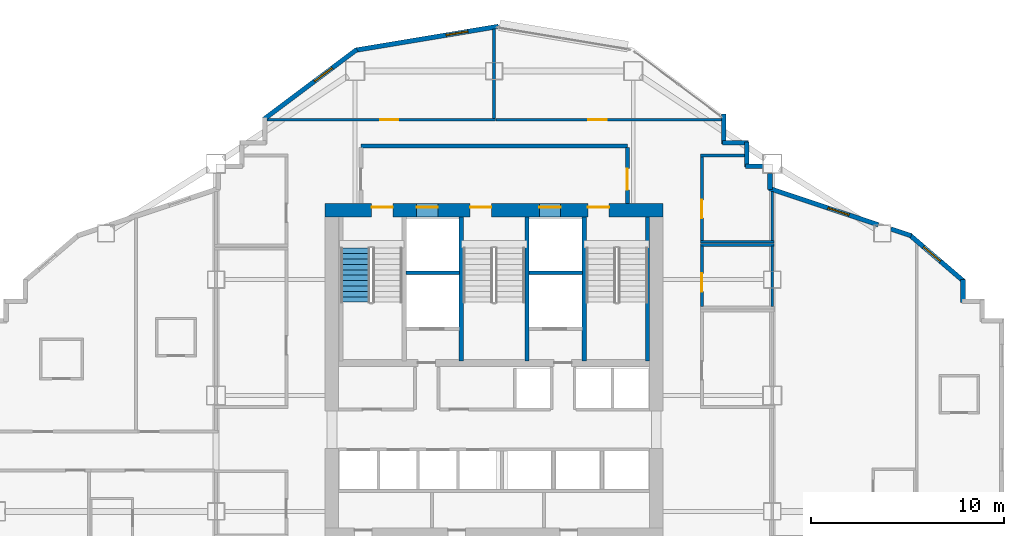
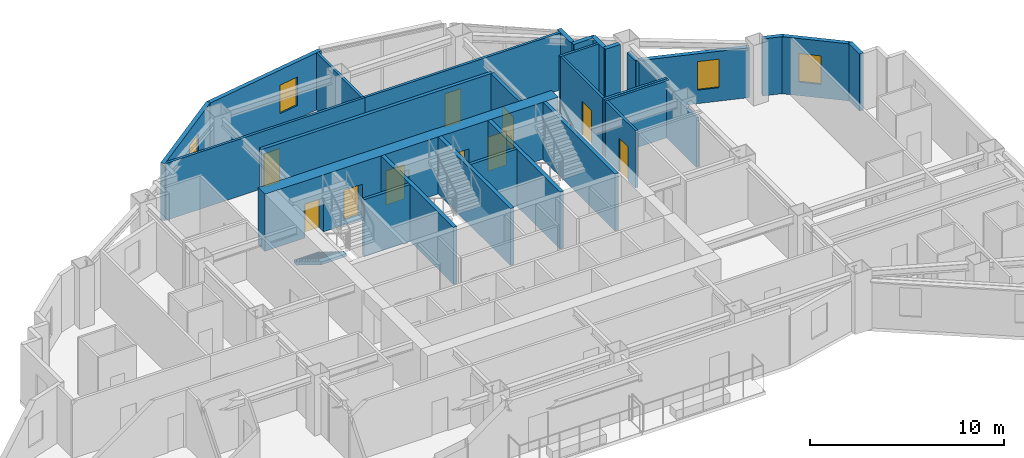
# One storey, part 9 of 14: 30 walls, 10 doors, 4 windows, 1 stair flight, 14 openings, 1 element without a shape of its own.
"""IFC4 building model written with IfcOpenShell, lengths in metres."""

import ifcopenshell
import ifcopenshell.guid

model = None  # the IFC model being written
_history = None  # IfcOwnerHistory: only IFC2X3 demands one
_inside = {}  # id of a spatial element -> (the spatial element, [elements in it])
_under = {}  # id of a project, library or spatial element -> (it, [spatial elements below it])
_declared = {}  # id of a project -> (the project, [libraries it declares])
_typed = {}  # id of a type object -> (the type object, [elements of that type])
_made_of = {}  # id of a material, layer set ... -> (it, [elements and type objects made of it])


def new_model(schema):
    """Start an empty IFC model of exactly this schema.

    Asked for "IFC4X3", IfcOpenShell would pick the latest addendum, in which some entities
    have other attributes; the version numbers below select the first issue.
    IFC2X3 requires an IfcOwnerHistory on every rooted entity: one is made here for all.
    """
    global model, _history
    if schema == "IFC4X3":
        model = ifcopenshell.file(schema_version=(4, 3, 0, 0))
    else:
        model = ifcopenshell.file(schema=schema)
    _inside.clear()
    _under.clear()
    _declared.clear()
    _typed.clear()
    _made_of.clear()
    _history = None
    if model.schema == "IFC2X3":
        org = make("IfcOrganization", Name="unknown")
        user = make(
            "IfcPersonAndOrganization",
            ThePerson=make("IfcPerson", FamilyName="unknown"),
            TheOrganization=org,
        )
        app = make(
            "IfcApplication",
            ApplicationDeveloper=org,
            Version="unknown",
            ApplicationFullName="unknown",
            ApplicationIdentifier="unknown",
        )
        _history = make(
            "IfcOwnerHistory",
            OwningUser=user,
            OwningApplication=app,
            ChangeAction="ADDED",
            CreationDate=0,
        )
    return model


def make(cls, **values):
    """One entity of the class cls with the attributes given. An attribute that is None is left unset."""
    return model.create_entity(
        cls, **{name: value for name, value in values.items() if value is not None}
    )


def rooted(cls, **values):
    """An entity with a GlobalId (a new one), such as an element, a storey or a relation."""
    return make(cls, GlobalId=ifcopenshell.guid.new(), OwnerHistory=_history, **values)


def si_unit(unit_type, name, prefix=None):
    """IfcSIUnit, for example si_unit("LENGTHUNIT", "METRE", prefix="MILLI")."""
    return make("IfcSIUnit", UnitType=unit_type, Prefix=prefix, Name=name)


def assignment(units):
    """IfcUnitAssignment: the units of a project."""
    return None if units is None else make("IfcUnitAssignment", Units=units)


def point(xyz):
    """IfcCartesianPoint."""
    return None if xyz is None else make("IfcCartesianPoint", Coordinates=xyz)


def direction(xyz):
    """IfcDirection."""
    return None if xyz is None else make("IfcDirection", DirectionRatios=xyz)


def frame(location, z_axis=None, x_axis=None):
    """IfcAxis2Placement3D, a coordinate frame: its origin and axes. An axis left out is left unset."""
    return make(
        "IfcAxis2Placement3D",
        Location=point(location),
        Axis=direction(z_axis),
        RefDirection=direction(x_axis),
    )


def frame_2d(location, x_axis=None):
    """IfcAxis2Placement2D, a coordinate frame in the plane: its origin and x axis."""
    return make(
        "IfcAxis2Placement2D", Location=point(location), RefDirection=direction(x_axis)
    )


def origin():
    """The frame at (0, 0, 0) with its axes left unset."""
    return frame((0.0, 0.0, 0.0))


def place(relative_to, where):
    """IfcLocalPlacement: puts the frame where relative to a parent placement (None: the world)."""
    return make(
        "IfcLocalPlacement", PlacementRelTo=relative_to, RelativePlacement=where
    )


def context(
    kind, dimensions, precision=None, world=None, true_north=None, identifier=None
):
    """IfcGeometricRepresentationContext, for example the 3D "Model" context."""
    return make(
        "IfcGeometricRepresentationContext",
        ContextIdentifier=identifier,
        ContextType=kind,
        CoordinateSpaceDimension=dimensions,
        Precision=precision,
        WorldCoordinateSystem=world,
        TrueNorth=true_north,
    )


def subcontext(parent, identifier, kind, view, scale=None):
    """IfcGeometricRepresentationSubContext, for example "Body" below "Model"."""
    return make(
        "IfcGeometricRepresentationSubContext",
        ContextIdentifier=identifier,
        ContextType=kind,
        ParentContext=parent,
        TargetScale=scale,
        TargetView=view,
    )


def project(units=None, contexts=None):
    """IfcProject with its units and contexts."""
    return rooted(
        "IfcProject",
        Name="project",
        RepresentationContexts=contexts,
        UnitsInContext=assignment(units),
    )


def spatial(cls, under=None, at=None, **own):
    """A site, building, storey or space (cls), placed at a placement, below another one or the project."""
    s = rooted(cls, ObjectPlacement=at, **own)
    if under is not None:
        _under.setdefault(under.id(), (under, []))[1].append(s)
    return s


def polyline(points):
    """IfcPolyline through the points."""
    return make("IfcPolyline", Points=[point(p) for p in points])


def profile(cls, at=None, kind="AREA", **sizes):
    """A parametric profile (cls). Its sizes go by their IFC names, for example OverallWidth=200.0."""
    return make(cls, ProfileType=kind, Position=at, **sizes)


def rectangle(**sizes):
    """IfcRectangleProfileDef."""
    return profile("IfcRectangleProfileDef", **sizes)


def outline(outer, holes=None, kind="AREA"):
    """IfcArbitraryClosedProfileDef: a profile drawn as a closed curve; with holes, ...WithVoids."""
    if holes is None:
        return make("IfcArbitraryClosedProfileDef", ProfileType=kind, OuterCurve=outer)
    return make(
        "IfcArbitraryProfileDefWithVoids",
        ProfileType=kind,
        OuterCurve=outer,
        InnerCurves=holes,
    )


def extrude(swept, where, along, depth):
    """IfcExtrudedAreaSolid: the profile swept, set in the frame where, extruded along a direction by depth."""
    return make(
        "IfcExtrudedAreaSolid",
        SweptArea=swept,
        Position=where,
        ExtrudedDirection=direction(along),
        Depth=depth,
    )


def shape(context_of_items, identifier, shape_type, items):
    """IfcShapeRepresentation: the items that make up one representation, for example the "Body"."""
    return make(
        "IfcShapeRepresentation",
        ContextOfItems=context_of_items,
        RepresentationIdentifier=identifier,
        RepresentationType=shape_type,
        Items=items,
    )


def material(Name=None, Category=None):
    """IfcMaterial."""
    return make("IfcMaterial", Name=Name, Category=Category)


def layer(
    of_material, thickness, ventilated=None, Name=None, Category=None, Priority=None
):
    """IfcMaterialLayer: one layer of a wall or slab, of a material (None: an air gap)."""
    return make(
        "IfcMaterialLayer",
        Material=of_material,
        LayerThickness=thickness,
        IsVentilated=ventilated,
        Name=Name,
        Category=Category,
        Priority=Priority,
    )


def layer_set(layers, Name=None):
    """IfcMaterialLayerSet."""
    return make("IfcMaterialLayerSet", MaterialLayers=layers, LayerSetName=Name)


def made_of(thing, what):
    """Note that an element or type object is made of a material, layer set ...; save() writes the relation."""
    if what is not None:
        _made_of.setdefault(what.id(), (what, []))[1].append(thing)
    return thing


def type_object(cls, material=None, **own):
    """A type object (cls), such as IfcWallType, which elements share."""
    return made_of(rooted(cls, **own), material)


def element(
    cls,
    number,
    at=None,
    inside=None,
    cuts=None,
    type_object=None,
    material=None,
    context=None,
    identifier="Body",
    shape_type=None,
    held_by="IfcProductDefinitionShape",
    body=None,
    shapes=None,
    **own,
):
    """One element of the class cls, such as IfcWall. Its Tag is "e" and its number.

    at: its placement. inside: the storey or other place that contains it. cuts: it is an
    opening in that element (IfcRelVoidsElement). A single representation is given by context,
    identifier, shape_type and body (its items); several are given by shapes. held_by: the class
    of the entity that holds the representations. save() writes the other relations.
    """
    e = rooted(cls, Tag="e%d" % number, ObjectPlacement=at, **own)
    if body is not None:
        shapes = [shape(context, identifier, shape_type, body)]
    if shapes is not None:
        e.Representation = make(held_by, Representations=shapes)
    if inside is not None:
        _inside.setdefault(inside.id(), (inside, []))[1].append(e)
    if cuts is not None:
        rooted(
            "IfcRelVoidsElement", RelatingBuildingElement=cuts, RelatedOpeningElement=e
        )
    if type_object is not None:
        _typed.setdefault(type_object.id(), (type_object, []))[1].append(e)
    return made_of(e, material)


def fill(opening, filler):
    """IfcRelFillsElement: the door or window that sits in an opening."""
    return rooted(
        "IfcRelFillsElement",
        RelatingOpeningElement=opening,
        RelatedBuildingElement=filler,
    )


def aggregate(whole, parts):
    """IfcRelAggregates: a whole, such as a stair, and the parts it consists of."""
    return rooted("IfcRelAggregates", RelatingObject=whole, RelatedObjects=parts)


def save(model, path):
    """Write the relations noted so far, then the file.

    IfcRelAggregates (storeys below a building ...), IfcRelContainedInSpatialStructure (elements
    in a storey), IfcRelDefinesByType, IfcRelAssociatesMaterial and IfcRelDeclares: one each for
    every whole, place, type object, material and project.
    """
    for whole, parts in _under.values():
        aggregate(whole, parts)
    for where, things in _inside.values():
        rooted(
            "IfcRelContainedInSpatialStructure",
            RelatedElements=things,
            RelatingStructure=where,
        )
    for kind, things in _typed.values():
        rooted("IfcRelDefinesByType", RelatedObjects=things, RelatingType=kind)
    for what, things in _made_of.values():
        rooted("IfcRelAssociatesMaterial", RelatedObjects=things, RelatingMaterial=what)
    for by, libraries in _declared.values():
        rooted("IfcRelDeclares", RelatingContext=by, RelatedDefinitions=libraries)
    model.write(path)


model = new_model("IFC4")

# Units and contexts
model_context = context("Model", 3, precision=1e-05, world=origin(), true_north=direction((0.0, 1.0)))
body_context = subcontext(model_context, "Body", "Model", "MODEL_VIEW")
ifc_project = project(units=[si_unit("LENGTHUNIT", "METRE"), si_unit("AREAUNIT", "SQUARE_METRE"), si_unit("VOLUMEUNIT", "CUBIC_METRE"), si_unit("PLANEANGLEUNIT", "RADIAN"), si_unit("MASSUNIT", "GRAM", prefix="KILO")], contexts=[model_context])

# Site, building, storey
site_placement = place(None, origin())
site = spatial("IfcSite", under=ifc_project, at=site_placement, CompositionType="ELEMENT")
building_placement = place(site_placement, origin())
building = spatial("IfcBuilding", under=site, at=building_placement, Name="Haolan Belvedere Tower", CompositionType="ELEMENT")
storey_placement = place(building_placement, frame((0.0, 0.0, 109.800048828125)))
storey = spatial("IfcBuildingStorey", under=building, at=storey_placement, Name="L27", CompositionType="ELEMENT", Elevation=109.800048828125)

# Wall, openings, doors
ifc_material_1 = material(Name="Concrete C60/75", Category="concrete")
ifc_layer_1 = layer(ifc_material_1, 0.699951171875, Name="Concrete C60/75")
ifc_layer_set_1 = layer_set([ifc_layer_1], Name="Concrete C60/75")
wall_type_1 = type_object("IfcWallType", Name="WL-CORE-700", PredefinedType="SHEAR", material=ifc_layer_set_1)
wall_1_placement = place(storey_placement, frame((29.64990234375, 43.199951171875, 0.0), z_axis=(0.0, 0.0, 1.0), x_axis=(1.0, 0.0, 0.0)))
wall_1 = element("IfcWall", 1, at=wall_1_placement, inside=storey, type_object=wall_type_1, Name="L27 central core north shear wall", PredefinedType="SHEAR", context=body_context, shape_type="SweptSolid", body=[
    extrude(rectangle(XDim=17.5, YDim=0.699951171875, at=frame_2d((8.75, 0.0))), origin(), (0.0, 0.0, 1.0), 3.599853515625),
])
opening_1_placement = place(wall_1_placement, frame((2.39990234375, 0.0, 0.0)))
opening_1 = element("IfcOpeningElement", 2, at=opening_1_placement, cuts=wall_1, Name="Opening FD-03", PredefinedType="OPENING", context=body_context, shape_type="SweptSolid", body=[
    extrude(rectangle(XDim=1.10009765625, YDim=2.14990234375, at=frame_2d((0.550048828125, 1.074951171875))), frame((0.0, 0.35986328125, 0.0), z_axis=(0.0, -1.0, 0.0), x_axis=(1.0, 0.0, 0.0)), (0.0, 0.0, 1.0), 0.719970703125),
])
opening_2_placement = place(wall_1_placement, frame((7.510009765625, 0.0, 0.0)))
opening_2 = element("IfcOpeningElement", 3, at=opening_2_placement, cuts=wall_1, Name="Opening FD-03", PredefinedType="OPENING", context=body_context, shape_type="SweptSolid", body=[
    extrude(rectangle(XDim=1.10009765625, YDim=2.14990234375, at=frame_2d((0.550048828125, 1.074951171875))), frame((0.0, 0.35986328125, 0.0), z_axis=(0.0, -1.0, 0.0), x_axis=(1.0, 0.0, 0.0)), (0.0, 0.0, 1.0), 0.719970703125),
])
opening_3_placement = place(wall_1_placement, frame((13.60009765625, 0.0, 0.0)))
opening_3 = element("IfcOpeningElement", 4, at=opening_3_placement, cuts=wall_1, Name="Opening FD-03", PredefinedType="OPENING", context=body_context, shape_type="SweptSolid", body=[
    extrude(rectangle(XDim=1.10009765625, YDim=2.14990234375, at=frame_2d((0.550048828125, 1.074951171875))), frame((0.0, 0.35986328125, 0.0), z_axis=(0.0, -1.0, 0.0), x_axis=(1.0, 0.0, 0.0)), (0.0, 0.0, 1.0), 0.719970703125),
])
opening_4_placement = place(wall_1_placement, frame((4.72998046875, 0.0, 0.0)))
opening_4 = element("IfcOpeningElement", 5, at=opening_4_placement, cuts=wall_1, Name="Opening LD-01", PredefinedType="OPENING", context=body_context, shape_type="SweptSolid", body=[
    extrude(rectangle(XDim=1.10009765625, YDim=2.199951171875, at=frame_2d((0.550048828125, 1.10009765625))), frame((0.0, 0.35986328125, 0.0), z_axis=(0.0, -1.0, 0.0), x_axis=(1.0, 0.0, 0.0)), (0.0, 0.0, 1.0), 0.719970703125),
])
opening_5_placement = place(wall_1_placement, frame((11.090087890625, 0.0, 0.0)))
opening_5 = element("IfcOpeningElement", 6, at=opening_5_placement, cuts=wall_1, Name="Opening LD-01", PredefinedType="OPENING", context=body_context, shape_type="SweptSolid", body=[
    extrude(rectangle(XDim=1.10009765625, YDim=2.199951171875, at=frame_2d((0.550048828125, 1.10009765625))), frame((0.0, 0.35986328125, 0.0), z_axis=(0.0, -1.0, 0.0), x_axis=(1.0, 0.0, 0.0)), (0.0, 0.0, 1.0), 0.719970703125),
])
ifc_material_2 = material(Name="Galvanised fire-rated steel", Category="steel")
door_type_1 = type_object("IfcDoorType", Name="DR-FD90-1100", OperationType="NOTDEFINED", PredefinedType="DOOR", material=ifc_material_2)
door_1_placement = place(opening_1_placement, origin())
door_1 = element("IfcDoor", 7, at=door_1_placement, inside=storey, type_object=door_type_1, Name="L27 door CD-L27-ST1", OperationType="SINGLE_SWING_LEFT", OverallHeight=2.14990234375, OverallWidth=1.10009765625, PredefinedType="DOOR", context=body_context, shape_type="SweptSolid", body=[
    extrude(rectangle(XDim=1.10009765625, YDim=2.14990234375, at=frame_2d((0.550048828125, 1.074951171875))), frame((0.0, 0.18505859375, 0.0), z_axis=(0.0, -1.0, 0.0), x_axis=(1.0, 0.0, 0.0)), (0.0, 0.0, 1.0), 0.050048828125),
])
fill(opening_1, door_1)
door_2_placement = place(opening_2_placement, origin())
door_2 = element("IfcDoor", 8, at=door_2_placement, inside=storey, type_object=door_type_1, Name="L27 door CD-L27-ST3", OperationType="SINGLE_SWING_LEFT", OverallHeight=2.14990234375, OverallWidth=1.10009765625, PredefinedType="DOOR", context=body_context, shape_type="SweptSolid", body=[
    extrude(rectangle(XDim=1.10009765625, YDim=2.14990234375, at=frame_2d((0.550048828125, 1.074951171875))), frame((0.0, 0.18505859375, 0.0), z_axis=(0.0, -1.0, 0.0), x_axis=(1.0, 0.0, 0.0)), (0.0, 0.0, 1.0), 0.050048828125),
])
fill(opening_2, door_2)
door_3_placement = place(opening_3_placement, origin())
door_3 = element("IfcDoor", 9, at=door_3_placement, inside=storey, type_object=door_type_1, Name="L27 door CD-L27-ST2", OperationType="SINGLE_SWING_RIGHT", OverallHeight=2.14990234375, OverallWidth=1.10009765625, PredefinedType="DOOR", context=body_context, shape_type="SweptSolid", body=[
    extrude(rectangle(XDim=1.10009765625, YDim=2.14990234375, at=frame_2d((0.550048828125, 1.074951171875))), frame((0.0, 0.18505859375, 0.0), z_axis=(0.0, -1.0, 0.0), x_axis=(1.0, 0.0, 0.0)), (0.0, 0.0, 1.0), 0.050048828125),
])
fill(opening_3, door_3)
ifc_material_3 = material(Name="Brushed champagne stainless steel 316L", Category="steel")
door_type_2 = type_object("IfcDoorType", Name="DR-LIFT-1100", OperationType="SLIDING_TO_LEFT", PredefinedType="DOOR", material=ifc_material_3)
door_4_placement = place(opening_4_placement, origin())
door_4 = element("IfcDoor", 10, at=door_4_placement, inside=storey, type_object=door_type_2, Name="L27 door LD-L27-FF1", OperationType="SLIDING_TO_LEFT", OverallHeight=2.199951171875, OverallWidth=1.10009765625, PredefinedType="DOOR", context=body_context, shape_type="SweptSolid", body=[
    extrude(rectangle(XDim=1.10009765625, YDim=2.199951171875, at=frame_2d((0.550048828125, 1.10009765625))), frame((0.0, 0.18505859375, 0.0), z_axis=(0.0, -1.0, 0.0), x_axis=(1.0, 0.0, 0.0)), (0.0, 0.0, 1.0), 0.050048828125),
])
fill(opening_4, door_4)
door_5_placement = place(opening_5_placement, origin())
door_5 = element("IfcDoor", 11, at=door_5_placement, inside=storey, type_object=door_type_2, Name="L27 door LD-L27-FF2", OperationType="SLIDING_TO_LEFT", OverallHeight=2.199951171875, OverallWidth=1.10009765625, PredefinedType="DOOR", context=body_context, shape_type="SweptSolid", body=[
    extrude(rectangle(XDim=1.10009765625, YDim=2.199951171875, at=frame_2d((0.550048828125, 1.10009765625))), frame((0.0, 0.18505859375, 0.0), z_axis=(0.0, -1.0, 0.0), x_axis=(1.0, 0.0, 0.0)), (0.0, 0.0, 1.0), 0.050048828125),
])
fill(opening_5, door_5)

# Wall
ifc_material_4 = material(Name="Precast concrete C40/50", Category="concrete")
ifc_layer_2 = layer(ifc_material_4, 0.239990234375, Name="Precast concrete C40/50")
ifc_layer_set_2 = layer_set([ifc_layer_2], Name="Precast concrete C40/50")
wall_type_2 = type_object("IfcWallType", Name="WL-EXT-240", PredefinedType="SOLIDWALL", material=ifc_layer_set_2)
wall_2_placement = place(storey_placement, frame((62.679931640625, 38.425048828125, 0.0), z_axis=(0.0, 0.0, 1.0), x_axis=(0.0, 1.0, 0.0)))
element("IfcWall", 12, at=wall_2_placement, inside=storey, type_object=wall_type_2, Name="L27 pale-metal exterior spandrel wall 18.1", PredefinedType="SOLIDWALL", context=body_context, shape_type="SweptSolid", body=[
    extrude(rectangle(XDim=1.1748046875, YDim=0.239990234375, at=frame_2d((0.58740234375, 0.0))), origin(), (0.0, 0.0, 1.0), 3.599853515625),
])

# Wall, opening, window
wall_3_placement = place(storey_placement, frame((62.7216796875, 39.509033203125, 0.0), z_axis=(0.0, 0.0, 1.0), x_axis=(-0.759247334792, 0.650802185469, 0.0)))
wall_3 = element("IfcWall", 13, at=wall_3_placement, inside=storey, type_object=wall_type_2, Name="L27 pale-metal exterior spandrel wall 19.1", PredefinedType="SOLIDWALL", context=body_context, shape_type="SweptSolid", body=[
    extrude(rectangle(XDim=3.71923828125, YDim=0.239990234375, at=frame_2d((1.859619140625, 0.0))), origin(), (0.0, 0.0, 1.0), 3.599853515625),
])
opening_6_placement = place(wall_3_placement, frame((1.60009765625, 0.0, 0.85009765625)))
opening_6 = element("IfcOpeningElement", 14, at=opening_6_placement, cuts=wall_3, Name="Opening W-02", PredefinedType="OPENING", context=body_context, shape_type="SweptSolid", body=[
    extrude(rectangle(XDim=1.14990234375, YDim=1.800048828125, at=frame_2d((0.574951171875, 0.89990234375))), frame((0.0, 0.1298828125, 0.0), z_axis=(0.0, -1.0, 0.0), x_axis=(1.0, 0.0, 0.0)), (0.0, 0.0, 1.0), 0.260009765625),
])
ifc_material_5 = material(Name="Anodised aluminium 6063-T6 and Low-E glass", Category="aluminium")
window_type = type_object("IfcWindowType", Name="WN-DECO-Z2", PartitioningType="SINGLE_PANEL", PredefinedType="WINDOW", material=ifc_material_5)
window_1_placement = place(opening_6_placement, origin())
window_1 = element("IfcWindow", 15, at=window_1_placement, inside=storey, type_object=window_type, Name="L27 Art Deco chevron window 1", OverallHeight=1.800048828125, OverallWidth=1.14990234375, PartitioningType="SINGLE_PANEL", PredefinedType="WINDOW", context=body_context, shape_type="SweptSolid", body=[
    extrude(rectangle(XDim=1.14990234375, YDim=1.800048828125, at=frame_2d((0.574951171875, 0.89990234375))), frame((0.0, 0.030029296875, 0.0), z_axis=(0.0, -1.0, 0.0), x_axis=(1.0, 0.0, 0.0)), (0.0, 0.0, 1.0), 0.06005859375),
])
fill(opening_6, window_1)

# Wall
wall_4_placement = place(storey_placement, frame((59.991943359375, 41.876220703125, 0.0), z_axis=(0.0, 0.0, 1.0), x_axis=(-0.948661238983, 0.316293935527, 0.0)))
element("IfcWall", 16, at=wall_4_placement, inside=storey, type_object=wall_type_2, Name="L27 pale-metal exterior spandrel wall 20.1", PredefinedType="SOLIDWALL", context=body_context, shape_type="SweptSolid", body=[
    extrude(rectangle(XDim=1.10693359375, YDim=0.239990234375, at=frame_2d((0.553466796875, 0.0))), origin(), (0.0, 0.0, 1.0), 3.599853515625),
])

# Wall, opening, window
wall_5_placement = place(storey_placement, frame((58.294677734375, 42.44189453125, 0.0), z_axis=(0.0, 0.0, 1.0), x_axis=(-0.948687385027, 0.316215504823, 0.0)))
wall_5 = element("IfcWall", 17, at=wall_5_placement, inside=storey, type_object=wall_type_2, Name="L27 pale-metal exterior spandrel wall 20.2", PredefinedType="SOLIDWALL", context=body_context, shape_type="SweptSolid", body=[
    extrude(rectangle(XDim=5.973388671875, YDim=0.239990234375, at=frame_2d((2.98681640625, 0.0))), origin(), (0.0, 0.0, 1.0), 3.14501953125),
])
opening_7_placement = place(wall_5_placement, frame((1.60009765625, 0.0, 0.85009765625)))
opening_7 = element("IfcOpeningElement", 18, at=opening_7_placement, cuts=wall_5, Name="Opening W-02", PredefinedType="OPENING", context=body_context, shape_type="SweptSolid", body=[
    extrude(rectangle(XDim=1.14990234375, YDim=1.800048828125, at=frame_2d((0.574951171875, 0.89990234375))), frame((0.0, 0.1298828125, 0.0), z_axis=(0.0, -1.0, 0.0), x_axis=(1.0, 0.0, 0.0)), (0.0, 0.0, 1.0), 0.260009765625),
])
window_2_placement = place(opening_7_placement, origin())
window_2 = element("IfcWindow", 19, at=window_2_placement, inside=storey, type_object=window_type, Name="L27 Art Deco chevron window 1", OverallHeight=1.800048828125, OverallWidth=1.14990234375, PartitioningType="SINGLE_PANEL", PredefinedType="WINDOW", context=body_context, shape_type="SweptSolid", body=[
    extrude(rectangle(XDim=1.14990234375, YDim=1.800048828125, at=frame_2d((0.574951171875, 0.89990234375))), frame((0.0, 0.030029296875, 0.0), z_axis=(0.0, -1.0, 0.0), x_axis=(1.0, 0.0, 0.0)), (0.0, 0.0, 1.0), 0.06005859375),
])
fill(opening_7, window_2)

# Walls
wall_6_placement = place(storey_placement, frame((52.679931640625, 44.258544921875, 0.0), z_axis=(0.0, 0.0, 1.0), x_axis=(0.0, 1.0, 0.0)))
element("IfcWall", 20, at=wall_6_placement, inside=storey, type_object=wall_type_2, Name="L27 pale-metal exterior spandrel wall 21.1", PredefinedType="SOLIDWALL", context=body_context, shape_type="SweptSolid", body=[
    extrude(rectangle(XDim=0.849365234375, YDim=0.239990234375, at=frame_2d((0.4248046875, 0.0))), origin(), (0.0, 0.0, 1.0), 3.14501953125),
])
wall_7_placement = place(storey_placement, frame((52.30810546875, 45.47998046875, 0.0), z_axis=(0.0, 0.0, 1.0), x_axis=(-1.0, 0.0, 0.0)))
element("IfcWall", 21, at=wall_7_placement, inside=storey, type_object=wall_type_2, Name="L27 pale-metal exterior spandrel wall 22.1", PredefinedType="SOLIDWALL", context=body_context, shape_type="SweptSolid", body=[
    extrude(rectangle(XDim=0.883056640625, YDim=0.239990234375, at=frame_2d((0.44140625, 0.0))), origin(), (0.0, 0.0, 1.0), 3.599853515625),
])
wall_8_placement = place(storey_placement, frame((51.47998046875, 45.425048828125, 0.0), z_axis=(0.0, 0.0, 1.0), x_axis=(0.0, 1.0, 0.0)))
element("IfcWall", 22, at=wall_8_placement, inside=storey, type_object=wall_type_2, Name="L27 pale-metal exterior spandrel wall 23.1", PredefinedType="SOLIDWALL", context=body_context, shape_type="SweptSolid", body=[
    extrude(rectangle(XDim=1.31005859375, YDim=0.239990234375, at=frame_2d((0.655029296875, 0.0))), origin(), (0.0, 0.0, 1.0), 3.599853515625),
])
wall_9_placement = place(storey_placement, frame((51.534912109375, 46.679931640625, 0.0), z_axis=(0.0, 0.0, 1.0), x_axis=(-1.0, 0.0, 0.0)))
element("IfcWall", 23, at=wall_9_placement, inside=storey, type_object=wall_type_2, Name="L27 pale-metal exterior spandrel wall 24.1", PredefinedType="SOLIDWALL", context=body_context, shape_type="SweptSolid", body=[
    extrude(rectangle(XDim=1.309814453125, YDim=0.239990234375, at=frame_2d((0.65478515625, 0.0))), origin(), (0.0, 0.0, 1.0), 3.599853515625),
])
wall_10_placement = place(storey_placement, frame((50.280029296875, 46.625, 0.0), z_axis=(0.0, 0.0, 1.0), x_axis=(0.0, 1.0, 0.0)))
element("IfcWall", 24, at=wall_10_placement, inside=storey, type_object=wall_type_2, Name="L27 pale-metal exterior spandrel wall 25.1", PredefinedType="SOLIDWALL", context=body_context, shape_type="SweptSolid", body=[
    extrude(rectangle(XDim=1.5400390625, YDim=0.239990234375, at=frame_2d((0.77001953125, 0.0))), origin(), (0.0, 0.0, 1.0), 3.599853515625),
])

# Wall, opening, window
wall_11_placement = place(storey_placement, frame((38.621826171875, 52.71533203125, 0.0), z_axis=(0.0, 0.0, 1.0), x_axis=(-0.98639129485, -0.164414760418, 0.0)))
wall_11 = element("IfcWall", 25, at=wall_11_placement, inside=storey, type_object=wall_type_2, Name="L27 pale-metal exterior spandrel wall 28.1", PredefinedType="SOLIDWALL", context=body_context, shape_type="SweptSolid", body=[
    extrude(rectangle(XDim=7.530029296875, YDim=0.239990234375, at=frame_2d((3.76513671875, 0.0))), origin(), (0.0, 0.0, 1.0), 3.599853515625),
])
opening_8_placement = place(wall_11_placement, frame((1.60009765625, 0.0, 0.85009765625)))
opening_8 = element("IfcOpeningElement", 26, at=opening_8_placement, cuts=wall_11, Name="Opening W-02", PredefinedType="OPENING", context=body_context, shape_type="SweptSolid", body=[
    extrude(rectangle(XDim=1.14990234375, YDim=1.800048828125, at=frame_2d((0.574951171875, 0.89990234375))), frame((0.0, 0.1298828125, 0.0), z_axis=(0.0, -1.0, 0.0), x_axis=(1.0, 0.0, 0.0)), (0.0, 0.0, 1.0), 0.260009765625),
])
window_3_placement = place(opening_8_placement, origin())
window_3 = element("IfcWindow", 27, at=window_3_placement, inside=storey, type_object=window_type, Name="L27 Art Deco chevron window 1", OverallHeight=1.800048828125, OverallWidth=1.14990234375, PartitioningType="SINGLE_PANEL", PredefinedType="WINDOW", context=body_context, shape_type="SweptSolid", body=[
    extrude(rectangle(XDim=1.14990234375, YDim=1.800048828125, at=frame_2d((0.574951171875, 0.89990234375))), frame((0.0, 0.030029296875, 0.0), z_axis=(0.0, -1.0, 0.0), x_axis=(1.0, 0.0, 0.0)), (0.0, 0.0, 1.0), 0.06005859375),
])
fill(opening_8, window_3)

wall_12_placement = place(storey_placement, frame((31.29248046875, 51.519287109375, 0.0), z_axis=(0.0, 0.0, 1.0), x_axis=(-0.8, -0.6, 0.0)))
wall_12 = element("IfcWall", 28, at=wall_12_placement, inside=storey, type_object=wall_type_2, Name="L27 pale-metal exterior spandrel wall 29.1", PredefinedType="SOLIDWALL", context=body_context, shape_type="SweptSolid", body=[
    extrude(rectangle(XDim=6.0205078125, YDim=0.239990234375, at=frame_2d((3.01025390625, 0.0))), origin(), (0.0, 0.0, 1.0), 3.599853515625),
])
opening_9_placement = place(wall_12_placement, frame((1.60009765625, 0.0, 0.85009765625)))
opening_9 = element("IfcOpeningElement", 29, at=opening_9_placement, cuts=wall_12, Name="Opening W-02", PredefinedType="OPENING", context=body_context, shape_type="SweptSolid", body=[
    extrude(rectangle(XDim=1.14990234375, YDim=1.800048828125, at=frame_2d((0.574951171875, 0.89990234375))), frame((0.0, 0.1298828125, 0.0), z_axis=(0.0, -1.0, 0.0), x_axis=(1.0, 0.0, 0.0)), (0.0, 0.0, 1.0), 0.260009765625),
])
window_4_placement = place(opening_9_placement, origin())
window_4 = element("IfcWindow", 30, at=window_4_placement, inside=storey, type_object=window_type, Name="L27 Art Deco chevron window 1", OverallHeight=1.800048828125, OverallWidth=1.14990234375, PartitioningType="SINGLE_PANEL", PredefinedType="WINDOW", context=body_context, shape_type="SweptSolid", body=[
    extrude(rectangle(XDim=1.14990234375, YDim=1.800048828125, at=frame_2d((0.574951171875, 0.89990234375))), frame((0.0, 0.030029296875, 0.0), z_axis=(0.0, -1.0, 0.0), x_axis=(1.0, 0.0, 0.0)), (0.0, 0.0, 1.0), 0.06005859375),
])
fill(opening_9, window_4)

# Wall
ifc_material_6 = material(Name="Concrete C40/50", Category="concrete")
ifc_layer_3 = layer(ifc_material_6, 0.199951171875, Name="Concrete C40/50")
ifc_layer_set_3 = layer_set([ifc_layer_3], Name="Concrete C40/50")
wall_type_3 = type_object("IfcWallType", Name="WL-FIRE-200", PredefinedType="SOLIDWALL", material=ifc_layer_set_3)
wall_13_placement = place(storey_placement, frame((31.5, 46.52001953125, 0.0), z_axis=(0.0, 0.0, 1.0), x_axis=(1.0, 0.0, 0.0)))
element("IfcWall", 31, at=wall_13_placement, inside=storey, type_object=wall_type_3, Name="L27 interior partition IW-L27-FFL-N", PredefinedType="SOLIDWALL", context=body_context, shape_type="SweptSolid", body=[
    extrude(rectangle(XDim=13.800048828125, YDim=0.199951171875, at=frame_2d((6.89990234375, 0.0))), origin(), (0.0, 0.0, 1.0), 3.599853515625),
])

# Wall, opening, door
wall_14_placement = place(storey_placement, frame((45.300048828125, 43.550048828125, 0.0), z_axis=(0.0, 0.0, 1.0), x_axis=(0.0, 1.0, 0.0)))
wall_14 = element("IfcWall", 32, at=wall_14_placement, inside=storey, type_object=wall_type_3, Name="L27 interior partition IW-L27-FFL-E", PredefinedType="SOLIDWALL", context=body_context, shape_type="SweptSolid", body=[
    extrude(rectangle(XDim=2.885009765625, YDim=0.199951171875, at=frame_2d((1.4423828125, 0.0))), origin(), (0.0, 0.0, 1.0), 3.599853515625),
])
opening_10_placement = place(wall_14_placement, frame((0.699951171875, 0.0, 0.0)))
opening_10 = element("IfcOpeningElement", 33, at=opening_10_placement, cuts=wall_14, Name="Opening FD-03", PredefinedType="OPENING", context=body_context, shape_type="SweptSolid", body=[
    extrude(rectangle(XDim=1.10009765625, YDim=2.14990234375, at=frame_2d((0.550048828125, 1.074951171875))), frame((0.0, 0.10986328125, 0.0), z_axis=(0.0, -1.0, 0.0), x_axis=(1.0, 0.0, 0.0)), (0.0, 0.0, 1.0), 0.219970703125),
])
door_6_placement = place(opening_10_placement, origin())
door_6 = element("IfcDoor", 34, at=door_6_placement, inside=storey, type_object=door_type_1, Name="L27 door ID-L27-FFL-DE", OperationType="SINGLE_SWING_RIGHT", OverallHeight=2.14990234375, OverallWidth=1.10009765625, PredefinedType="DOOR", context=body_context, shape_type="SweptSolid", body=[
    extrude(rectangle(XDim=1.10009765625, YDim=2.14990234375, at=frame_2d((0.550048828125, 1.074951171875))), frame((0.0, 0.02490234375, 0.0), z_axis=(0.0, -1.0, 0.0), x_axis=(1.0, 0.0, 0.0)), (0.0, 0.0, 1.0), 0.050048828125),
])
fill(opening_10, door_6)

# Wall
ifc_material_7 = material(Name="Double gypsum acoustic stud partition", Category="masonry")
ifc_layer_4 = layer(ifc_material_7, 0.14990234375, Name="Double gypsum acoustic stud partition")
ifc_layer_set_4 = layer_set([ifc_layer_4], Name="Double gypsum acoustic stud partition")
wall_type_4 = type_object("IfcWallType", Name="WL-PART-150", PredefinedType="PARTITIONING", material=ifc_layer_set_4)
wall_15_placement = place(storey_placement, frame((49.080078125, 41.39990234375, 0.0), z_axis=(0.0, 0.0, 1.0), x_axis=(1.0, 0.0, 0.0)))
element("IfcWall", 35, at=wall_15_placement, inside=storey, type_object=wall_type_4, Name="L27 interior partition IW-L27-AWC-N", PredefinedType="PARTITIONING", context=body_context, shape_type="SweptSolid", body=[
    extrude(rectangle(XDim=3.7998046875, YDim=0.14990234375, at=frame_2d((1.89990234375, 0.0))), origin(), (0.0, 0.0, 1.0), 3.599853515625),
])

# Wall, opening, door
wall_16_placement = place(storey_placement, frame((49.159912109375, 38.219970703125, 0.0), z_axis=(0.0, 0.0, 1.0), x_axis=(0.0, 1.0, 0.0)))
wall_16 = element("IfcWall", 36, at=wall_16_placement, inside=storey, type_object=wall_type_4, Name="L27 interior partition IW-L27-AWC-W", PredefinedType="PARTITIONING", context=body_context, shape_type="SweptSolid", body=[
    extrude(rectangle(XDim=3.1201171875, YDim=0.14990234375, at=frame_2d((1.56005859375, 0.0))), origin(), (0.0, 0.0, 1.0), 3.599853515625),
])
opening_11_placement = place(wall_16_placement, frame((0.760009765625, 0.0, 0.0)))
opening_11 = element("IfcOpeningElement", 37, at=opening_11_placement, cuts=wall_16, Name="Opening ID-03", PredefinedType="OPENING", context=body_context, shape_type="SweptSolid", body=[
    extrude(rectangle(XDim=0.949951171875, YDim=2.1201171875, at=frame_2d((0.47509765625, 1.06005859375))), frame((0.0, 0.0849609375, 0.0), z_axis=(0.0, -1.0, 0.0), x_axis=(1.0, 0.0, 0.0)), (0.0, 0.0, 1.0), 0.169921875),
])
ifc_material_8 = material(Name="Painted solid-core timber", Category="wood")
door_type_3 = type_object("IfcDoorType", Name="DR-INT-950", OperationType="NOTDEFINED", PredefinedType="DOOR", material=ifc_material_8)
door_7_placement = place(opening_11_placement, origin())
door_7 = element("IfcDoor", 38, at=door_7_placement, inside=storey, type_object=door_type_3, Name="L27 door ID-L27-AWC", OperationType="SINGLE_SWING_LEFT", OverallHeight=2.1201171875, OverallWidth=0.949951171875, PredefinedType="DOOR", context=body_context, shape_type="SweptSolid", body=[
    extrude(rectangle(XDim=0.949951171875, YDim=2.1201171875, at=frame_2d((0.47509765625, 1.06005859375))), frame((0.0, 0.02490234375, 0.0), z_axis=(0.0, -1.0, 0.0), x_axis=(1.0, 0.0, 0.0)), (0.0, 0.0, 1.0), 0.050048828125),
])
fill(opening_11, door_7)

# Walls
wall_17_placement = place(storey_placement, frame((52.800048828125, 38.219970703125, 0.0), z_axis=(0.0, 0.0, 1.0), x_axis=(0.0, 1.0, 0.0)))
element("IfcWall", 39, at=wall_17_placement, inside=storey, type_object=wall_type_4, Name="L27 interior partition IW-L27-AWC-E", PredefinedType="PARTITIONING", context=body_context, shape_type="SweptSolid", body=[
    extrude(rectangle(XDim=3.1201171875, YDim=0.14990234375, at=frame_2d((1.56005859375, 0.0))), origin(), (0.0, 0.0, 1.0), 3.14501953125),
])
wall_18_placement = place(storey_placement, frame((49.080078125, 46.02001953125, 0.0), z_axis=(0.0, 0.0, 1.0), x_axis=(1.0, 0.0, 0.0)))
element("IfcWall", 40, at=wall_18_placement, inside=storey, type_object=wall_type_4, Name="L27 interior partition IW-L27-CLN-N", PredefinedType="PARTITIONING", context=body_context, shape_type="SweptSolid", body=[
    extrude(rectangle(XDim=2.294921875, YDim=0.14990234375, at=frame_2d((1.1474609375, 0.0))), origin(), (0.0, 0.0, 1.0), 3.599853515625),
])
wall_19_placement = place(storey_placement, frame((49.080078125, 41.56005859375, 0.0), z_axis=(0.0, 0.0, 1.0), x_axis=(1.0, 0.0, 0.0)))
element("IfcWall", 41, at=wall_19_placement, inside=storey, type_object=wall_type_4, Name="L27 interior partition IW-L27-CLN-S", PredefinedType="PARTITIONING", context=body_context, shape_type="SweptSolid", body=[
    extrude(rectangle(XDim=3.7998046875, YDim=0.14990234375, at=frame_2d((1.89990234375, 0.0))), origin(), (0.0, 0.0, 1.0), 3.599853515625),
])

# Wall, opening, door
wall_20_placement = place(storey_placement, frame((49.159912109375, 41.6201171875, 0.0), z_axis=(0.0, 0.0, 1.0), x_axis=(0.0, 1.0, 0.0)))
wall_20 = element("IfcWall", 42, at=wall_20_placement, inside=storey, type_object=wall_type_4, Name="L27 interior partition IW-L27-CLN-W", PredefinedType="PARTITIONING", context=body_context, shape_type="SweptSolid", body=[
    extrude(rectangle(XDim=4.33984375, YDim=0.14990234375, at=frame_2d((2.169921875, 0.0))), origin(), (0.0, 0.0, 1.0), 3.599853515625),
])
opening_12_placement = place(wall_20_placement, frame((1.159912109375, 0.0, 0.0)))
opening_12 = element("IfcOpeningElement", 43, at=opening_12_placement, cuts=wall_20, Name="Opening ID-03", PredefinedType="OPENING", context=body_context, shape_type="SweptSolid", body=[
    extrude(rectangle(XDim=0.949951171875, YDim=2.1201171875, at=frame_2d((0.47509765625, 1.06005859375))), frame((0.0, 0.0849609375, 0.0), z_axis=(0.0, -1.0, 0.0), x_axis=(1.0, 0.0, 0.0)), (0.0, 0.0, 1.0), 0.169921875),
])
door_8_placement = place(opening_12_placement, origin())
door_8 = element("IfcDoor", 44, at=door_8_placement, inside=storey, type_object=door_type_3, Name="L27 door ID-L27-CLN", OperationType="SINGLE_SWING_RIGHT", OverallHeight=2.1201171875, OverallWidth=0.949951171875, PredefinedType="DOOR", context=body_context, shape_type="SweptSolid", body=[
    extrude(rectangle(XDim=0.949951171875, YDim=2.1201171875, at=frame_2d((0.47509765625, 1.06005859375))), frame((0.0, 0.02490234375, 0.0), z_axis=(0.0, -1.0, 0.0), x_axis=(1.0, 0.0, 0.0)), (0.0, 0.0, 1.0), 0.050048828125),
])
fill(opening_12, door_8)

# Wall
wall_21_placement = place(storey_placement, frame((52.800048828125, 41.6201171875, 0.0), z_axis=(0.0, 0.0, 1.0), x_axis=(0.0, 1.0, 0.0)))
element("IfcWall", 45, at=wall_21_placement, inside=storey, type_object=wall_type_4, Name="L27 interior partition IW-L27-CLN-E", PredefinedType="PARTITIONING", context=body_context, shape_type="SweptSolid", body=[
    extrude(rectangle(XDim=2.542724609375, YDim=0.14990234375, at=frame_2d((1.271484375, 0.0))), origin(), (0.0, 0.0, 1.0), 3.14501953125),
])

# Wall, opening, door
wall_22_placement = place(storey_placement, frame((26.625, 47.8798828125, 0.0), z_axis=(0.0, 0.0, 1.0), x_axis=(1.0, 0.0, 0.0)))
wall_22 = element("IfcWall", 46, at=wall_22_placement, inside=storey, type_object=wall_type_4, Name="L27 interior partition IW-L27-KN1-S", PredefinedType="PARTITIONING", context=body_context, shape_type="SweptSolid", body=[
    extrude(rectangle(XDim=11.85498046875, YDim=0.14990234375, at=frame_2d((5.927490234375, 0.0))), origin(), (0.0, 0.0, 1.0), 3.599853515625),
])
opening_13_placement = place(wall_22_placement, frame((5.8701171875, 0.0, 0.0)))
opening_13 = element("IfcOpeningElement", 47, at=opening_13_placement, cuts=wall_22, Name="Opening ID-03", PredefinedType="OPENING", context=body_context, shape_type="SweptSolid", body=[
    extrude(rectangle(XDim=0.949951171875, YDim=2.1201171875, at=frame_2d((0.47509765625, 1.06005859375))), frame((0.0, 0.0849609375, 0.0), z_axis=(0.0, -1.0, 0.0), x_axis=(1.0, 0.0, 0.0)), (0.0, 0.0, 1.0), 0.169921875),
])
door_9_placement = place(opening_13_placement, origin())
door_9 = element("IfcDoor", 48, at=door_9_placement, inside=storey, type_object=door_type_3, Name="L27 door ID-L27-KN1", OperationType="SINGLE_SWING_RIGHT", OverallHeight=2.1201171875, OverallWidth=0.949951171875, PredefinedType="DOOR", context=body_context, shape_type="SweptSolid", body=[
    extrude(rectangle(XDim=0.949951171875, YDim=2.1201171875, at=frame_2d((0.47509765625, 1.06005859375))), frame((0.0, 0.02490234375, 0.0), z_axis=(0.0, -1.0, 0.0), x_axis=(1.0, 0.0, 0.0)), (0.0, 0.0, 1.0), 0.050048828125),
])
fill(opening_13, door_9)

# Wall
wall_23_placement = place(storey_placement, frame((38.39990234375, 47.93994140625, 0.0), z_axis=(0.0, 0.0, 1.0), x_axis=(0.0, 1.0, 0.0)))
element("IfcWall", 49, at=wall_23_placement, inside=storey, type_object=wall_type_4, Name="L27 interior partition IW-L27-KN1-E", PredefinedType="PARTITIONING", context=body_context, shape_type="SweptSolid", body=[
    extrude(rectangle(XDim=4.632080078125, YDim=0.14990234375, at=frame_2d((2.31591796875, 0.0))), origin(), (0.0, 0.0, 1.0), 3.599853515625),
])

# Wall, opening, door
wall_24_placement = place(storey_placement, frame((38.48193359375, 47.8798828125, 0.0), z_axis=(0.0, 0.0, 1.0), x_axis=(1.0, 0.0, 0.0)))
wall_24 = element("IfcWall", 50, at=wall_24_placement, inside=storey, type_object=wall_type_4, Name="L27 interior partition IW-L27-KN2-S", PredefinedType="PARTITIONING", context=body_context, shape_type="SweptSolid", body=[
    extrude(rectangle(XDim=11.693115234375, YDim=0.14990234375, at=frame_2d((5.8466796875, 0.0))), origin(), (0.0, 0.0, 1.0), 3.599853515625),
])
opening_14_placement = place(wall_24_placement, frame((4.79296875, 0.0, 0.0)))
opening_14 = element("IfcOpeningElement", 51, at=opening_14_placement, cuts=wall_24, Name="Opening ID-03", PredefinedType="OPENING", context=body_context, shape_type="SweptSolid", body=[
    extrude(rectangle(XDim=0.949951171875, YDim=2.1201171875, at=frame_2d((0.47509765625, 1.06005859375))), frame((0.0, 0.0849609375, 0.0), z_axis=(0.0, -1.0, 0.0), x_axis=(1.0, 0.0, 0.0)), (0.0, 0.0, 1.0), 0.169921875),
])
door_10_placement = place(opening_14_placement, origin())
door_10 = element("IfcDoor", 52, at=door_10_placement, inside=storey, type_object=door_type_3, Name="L27 door ID-L27-KN2", OperationType="SINGLE_SWING_LEFT", OverallHeight=2.1201171875, OverallWidth=0.949951171875, PredefinedType="DOOR", context=body_context, shape_type="SweptSolid", body=[
    extrude(rectangle(XDim=0.949951171875, YDim=2.1201171875, at=frame_2d((0.47509765625, 1.06005859375))), frame((0.0, 0.02490234375, 0.0), z_axis=(0.0, -1.0, 0.0), x_axis=(1.0, 0.0, 0.0)), (0.0, 0.0, 1.0), 0.050048828125),
])
fill(opening_14, door_10)

# Walls
ifc_layer_5 = layer(ifc_material_4, 0.179931640625, Name="Precast concrete C40/50")
ifc_layer_set_5 = layer_set([ifc_layer_5], Name="Precast concrete C40/50")
wall_type_5 = type_object("IfcWallType", Name="WL-SHAFT-180", PredefinedType="SOLIDWALL", material=ifc_layer_set_5)
for number, where, z_axis, x_axis, name in (
    (53, (33.8349609375, 39.949951171875, 0.0), (0.0, 0.0, 1.0), (1.0, 0.0, 0.0), "L27 interior partition IW-L27-FF1-S"),
    (54, (40.195068359375, 39.949951171875, 0.0), (0.0, 0.0, 1.0), (1.0, 0.0, 0.0), "L27 interior partition IW-L27-FF2-S"),
):
    element("IfcWall", number, at=place(storey_placement, frame(where, z_axis=z_axis, x_axis=x_axis)), inside=storey, type_object=wall_type_5, Name=name, PredefinedType="SOLIDWALL", context=body_context, shape_type="SweptSolid", body=[
        extrude(rectangle(XDim=2.77001953125, YDim=0.179931640625, at=frame_2d((1.385009765625, 0.0))), origin(), (0.0, 0.0, 1.0), 3.599853515625),
    ])
ifc_material_9 = material(Name="Concrete C50/60", Category="concrete")
ifc_layer_6 = layer(ifc_material_9, 0.219970703125, Name="Concrete C50/60")
ifc_layer_set_6 = layer_set([ifc_layer_6], Name="Concrete C50/60")
wall_type_6 = type_object("IfcWallType", Name="WL-STAIR-220", PredefinedType="SHEAR", material=ifc_layer_set_6)
for number, where, z_axis, x_axis, name in (
    (55, (36.699951171875, 35.389892578125, 0.0), (0.0, 0.0, 1.0), (0.0, 1.0, 0.0), "L27 structural stair core wall ST3W"),
    (56, (40.10009765625, 35.389892578125, 0.0), (0.0, 0.0, 1.0), (0.0, 1.0, 0.0), "L27 structural stair core wall ST3E"),
    (57, (43.06005859375, 35.389892578125, 0.0), (0.0, 0.0, 1.0), (0.0, 1.0, 0.0), "L27 structural stair core wall ST2W"),
    (58, (46.337890625, 35.389892578125, 0.0), (0.0, 0.0, 1.0), (0.0, 1.0, 0.0), "L27 structural stair core wall ST2E"),
):
    element("IfcWall", number, at=place(storey_placement, frame(where, z_axis=z_axis, x_axis=x_axis)), inside=storey, type_object=wall_type_6, Name=name, PredefinedType="SHEAR", context=body_context, shape_type="SweptSolid", body=[
        extrude(rectangle(XDim=7.460205078125, YDim=0.219970703125, at=frame_2d((3.72998046875, 0.0))), origin(), (0.0, 0.0, 1.0), 3.599853515625),
    ])

# Stair, stair flight
stair_type = type_object("IfcStairType", Name="STR-DL-22R-173", PredefinedType="HALF_TURN_STAIR", material=ifc_material_6)
stair_placement = place(storey_placement, origin())
stair = element("IfcStair", 59, at=stair_placement, inside=storey, type_object=stair_type, Name="L27 Smokeproof Core Exit Stair ST1", PredefinedType="HALF_TURN_STAIR")
stair_flight_type = type_object("IfcStairFlightType", Name="SFL-DL-11R-173", PredefinedType="STRAIGHT", material=ifc_material_6)
stair_flight_placement = place(storey_placement, frame((31.2099609375, 41.22998046875, 0.0), z_axis=(0.0, 0.0, 1.0), x_axis=(0.0, -1.0, 0.0)))
stair_flight = element("IfcStairFlight", 60, at=stair_flight_placement, type_object=stair_flight_type, Name="ST1 flight 1", NumberOfRisers=11, NumberOfTreads=10, PredefinedType="STRAIGHT", RiserHeight=0.172727273, TreadLength=0.28, context=body_context, shape_type="SweptSolid", body=[
    extrude(outline(polyline([(0.0, 0.0), (0.0, 0.172607421875), (0.280029296875, 0.172607421875), (0.280029296875, 0.345458984375), (0.56005859375, 0.345458984375), (0.56005859375, 0.51806640625), (0.840087890625, 0.51806640625), (0.840087890625, 0.69091796875), (1.1201171875, 0.69091796875), (1.1201171875, 0.863525390625), (1.39990234375, 0.863525390625), (1.39990234375, 1.036376953125), (1.679931640625, 1.036376953125), (1.679931640625, 1.208984375), (1.9599609375, 1.208984375), (1.9599609375, 1.3818359375), (2.239990234375, 1.3818359375), (2.239990234375, 1.554443359375), (2.52001953125, 1.554443359375), (2.52001953125, 1.727294921875), (2.800048828125, 1.727294921875), (2.800048828125, 1.89990234375), (2.800048828125, 1.551025390625), (0.285400390625, 0.0), (0.0, 0.0)])), frame((0.0, 0.760009765625, 0.0), z_axis=(0.0, -1.0, 0.0), x_axis=(1.0, 0.0, 0.0)), (0.0, 0.0, 1.0), 1.52001953125),
])
aggregate(stair, [stair_flight])

save(model, "model.ifc")
